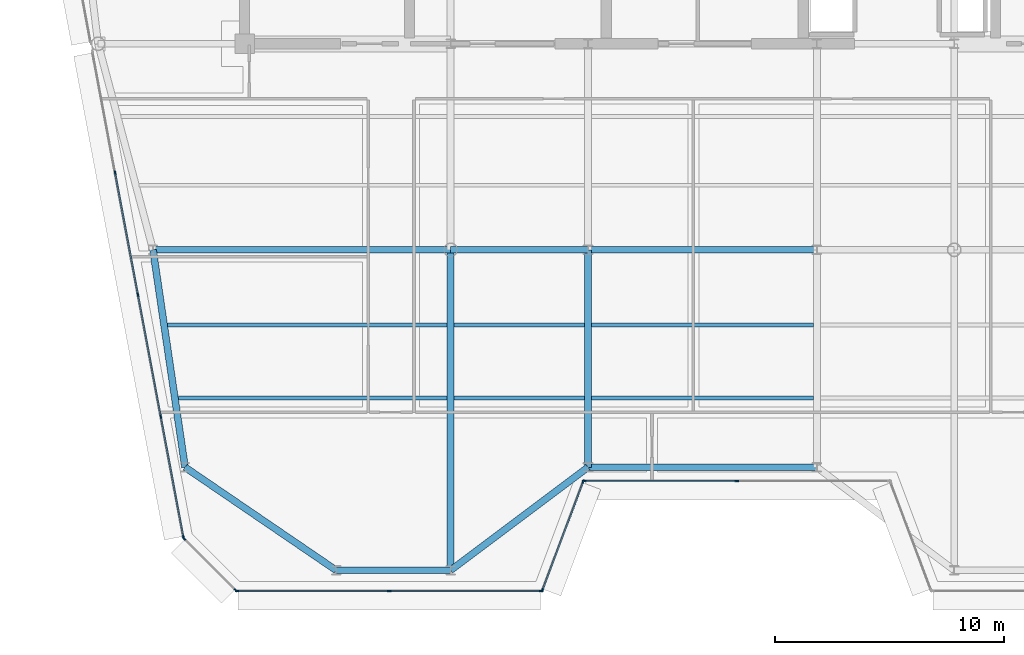
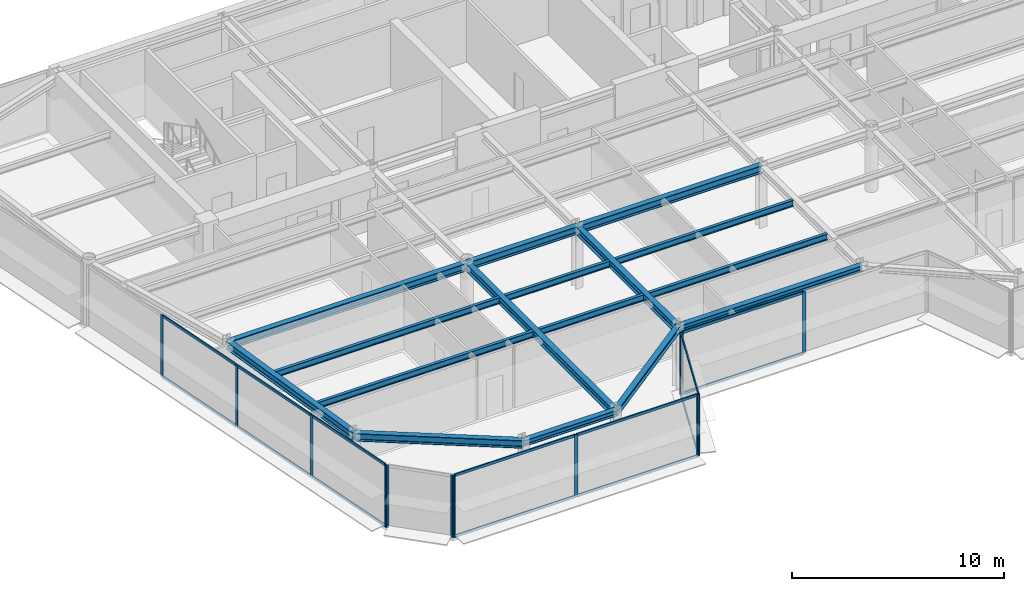
# One storey, part 3 of 20: 27 members, 16 beams, 5 elements without a shape of their own.
"""IFC4 building model written with IfcOpenShell, lengths in metres."""

from ifc_helpers import new_model, si_unit, direction, frame, origin, origin_2d, place, context, subcontext, project, spatial, rectangle, i_section, extrude, source, transform, mapped, material, layer, layer_set, material_profile, profile_set, type_object, element, aggregate, save


model = new_model("IFC4")

# Units and contexts
model_context = context("Model", 3, precision=1e-05, world=origin(), true_north=direction((0.0, 1.0)))
body_context = subcontext(model_context, "Body", "Model", "MODEL_VIEW")
ifc_project = project(units=[si_unit("LENGTHUNIT", "METRE"), si_unit("AREAUNIT", "SQUARE_METRE"), si_unit("VOLUMEUNIT", "CUBIC_METRE"), si_unit("PLANEANGLEUNIT", "RADIAN"), si_unit("MASSUNIT", "GRAM", prefix="KILO")], contexts=[model_context])

# Site, building, storey
site_placement = place(None, origin())
site = spatial("IfcSite", under=ifc_project, at=site_placement, CompositionType="ELEMENT")
building_placement = place(site_placement, origin())
building = spatial("IfcBuilding", under=site, at=building_placement, Name="Vaeldorn Concourse Tower", CompositionType="ELEMENT")
storey_placement = place(building_placement, frame((0.0, 0.0, 284.0)))
storey = spatial("IfcBuildingStorey", under=building, at=storey_placement, Name="L73", CompositionType="ELEMENT", Elevation=284.0)

# Beams
ifc_material_1 = material(Name="Steel S355", Category="steel")
ifc_material_profile_1 = material_profile(ifc_material_1, i_section(OverallWidth=0.300048828125, OverallDepth=0.449951171875, WebThickness=0.013916015625, FlangeThickness=0.02587890625, FilletRadius=0.027099609375, at=origin_2d()), Name="HEB 450")
ifc_profile_set_1 = profile_set([ifc_material_profile_1], Name="Steel S355")
beam_type_1 = type_object("IfcBeamType", Name="BM-PG-HEB450", PredefinedType="BEAM", material=ifc_profile_set_1)
shared_shape_1 = source(origin(), body_context, "Body", "SweptSolid", [
    extrude(i_section(OverallWidth=0.300048828125, OverallDepth=0.449951171875, WebThickness=0.013916015625, FlangeThickness=0.02587890625, FilletRadius=0.027099609375, at=origin_2d()), origin(), (0.0, 0.0, 1.0), 6.0),
])
beam_1_placement = place(storey_placement, frame((23.0, 27.5, 3.35498046875), z_axis=(1.0, 0.0, 0.0), x_axis=(0.0, 1.0, 0.0)))
element("IfcBeam", 1, at=beam_1_placement, inside=storey, type_object=beam_type_1, Name="Beam BM-L73-C-TW1-C-TW2", PredefinedType="BEAM", context=body_context, shape_type="MappedRepresentation", body=[
    mapped(shared_shape_1, transform((0.0, 0.0, 0.0), scale=1.0)),
])
shared_shape_2 = source(origin(), body_context, "Body", "SweptSolid", [
    extrude(i_section(OverallWidth=0.300048828125, OverallDepth=0.449951171875, WebThickness=0.013916015625, FlangeThickness=0.02587890625, FilletRadius=0.027099609375, at=origin_2d()), origin(), (0.0, 0.0, 1.0), 10.0),
])
beam_2_placement = place(storey_placement, frame((29.0, 27.5, 3.35498046875), z_axis=(1.0, 0.0, 0.0), x_axis=(0.0, 1.0, 0.0)))
element("IfcBeam", 2, at=beam_2_placement, inside=storey, type_object=beam_type_1, Name="Beam BM-L73-C-TW2-C-TW3", PredefinedType="BEAM", context=body_context, shape_type="MappedRepresentation", body=[
    mapped(shared_shape_2, transform((0.0, 0.0, 0.0), scale=1.0)),
])
ifc_material_profile_2 = material_profile(ifc_material_1, i_section(OverallWidth=0.169921875, OverallDepth=0.360107421875, WebThickness=0.008056640625, FlangeThickness=0.0126953125, FilletRadius=0.01806640625, at=origin_2d()), Name="IPE 360")
ifc_profile_set_2 = profile_set([ifc_material_profile_2], Name="Steel S355")
beam_type_2 = type_object("IfcBeamType", Name="BM-JS-IPE360", PredefinedType="JOIST", material=ifc_profile_set_2)
shared_shape_3 = source(origin(), body_context, "Body", "SweptSolid", [
    extrude(i_section(OverallWidth=0.169921875, OverallDepth=0.360107421875, WebThickness=0.008056640625, FlangeThickness=0.0126953125, FilletRadius=0.01806640625, at=origin_2d()), origin(), (0.0, 0.0, 1.0), 5.7001953125),
])
for number, where, z_axis, x_axis, name in (
    (3, (23.14990234375, 21.02001953125, 3.39990234375), (1.0, 0.0, 0.0), (0.0, 1.0, 0.0), "Beam JS-L73-W2-210"),
    (4, (23.14990234375, 24.219970703125, 3.39990234375), (1.0, 0.0, 0.0), (0.0, 1.0, 0.0), "Beam JS-L73-W2-242"),
):
    element("IfcBeam", number, at=place(storey_placement, frame(where, z_axis=z_axis, x_axis=x_axis)), inside=storey, type_object=beam_type_2, Name=name, PredefinedType="JOIST", context=body_context, shape_type="MappedRepresentation", body=[
        mapped(shared_shape_3, transform((0.0, 0.0, 0.0), scale=1.0)),
    ])
shared_shape_4 = source(origin(), body_context, "Body", "SweptSolid", [
    extrude(i_section(OverallWidth=0.169921875, OverallDepth=0.360107421875, WebThickness=0.008056640625, FlangeThickness=0.0126953125, FilletRadius=0.01806640625, at=origin_2d()), origin(), (0.0, 0.0, 1.0), 9.7001953125),
])
for number, where, z_axis, x_axis, name in (
    (5, (29.14990234375, 21.02001953125, 3.39990234375), (1.0, 0.0, 0.0), (0.0, 1.0, 0.0), "Beam JS-L73-C-210"),
    (6, (29.14990234375, 24.219970703125, 3.39990234375), (1.0, 0.0, 0.0), (0.0, 1.0, 0.0), "Beam JS-L73-C-242"),
):
    element("IfcBeam", number, at=place(storey_placement, frame(where, z_axis=z_axis, x_axis=x_axis)), inside=storey, type_object=beam_type_2, Name=name, PredefinedType="JOIST", context=body_context, shape_type="MappedRepresentation", body=[
        mapped(shared_shape_4, transform((0.0, 0.0, 0.0), scale=1.0)),
    ])
ifc_material_profile_3 = material_profile(ifc_material_1, i_section(OverallWidth=0.300048828125, OverallDepth=0.340087890625, WebThickness=0.011962890625, FlangeThickness=0.021484375, FilletRadius=0.027099609375, at=origin_2d()), Name="HEB 340")
ifc_profile_set_3 = profile_set([ifc_material_profile_3], Name="Steel S355")
beam_type_3 = type_object("IfcBeamType", Name="BM-SP-HEB340", PredefinedType="SPANDREL", material=ifc_profile_set_3)
shared_shape_5 = source(origin(), body_context, "Body", "SweptSolid", [
    extrude(i_section(OverallWidth=0.300048828125, OverallDepth=0.340087890625, WebThickness=0.011962890625, FlangeThickness=0.021484375, FilletRadius=0.027099609375, at=origin_2d()), origin(), (0.0, 0.0, 1.0), 5.0),
])
beam_3_placement = place(storey_placement, frame((18.0, 13.5, 3.409912109375), z_axis=(1.0, 0.0, 0.0), x_axis=(0.0, 1.0, 0.0)))
element("IfcBeam", 7, at=beam_3_placement, inside=storey, type_object=beam_type_3, Name="Beam BM-L73-C-SF1-C-SF2", PredefinedType="SPANDREL", context=body_context, shape_type="MappedRepresentation", body=[
    mapped(shared_shape_5, transform((0.0, 0.0, 0.0), scale=1.0)),
])
shared_shape_6 = source(origin(), body_context, "Body", "SweptSolid", [
    extrude(i_section(OverallWidth=0.300048828125, OverallDepth=0.340087890625, WebThickness=0.011962890625, FlangeThickness=0.021484375, FilletRadius=0.027099609375, at=origin_2d()), origin(), (0.0, 0.0, 1.0), 7.5),
])
beam_4_placement = place(storey_placement, frame((23.0, 13.5, 3.409912109375), z_axis=(0.8, 0.6, 0.0), x_axis=(-0.6, 0.8, 0.0)))
element("IfcBeam", 8, at=beam_4_placement, inside=storey, type_object=beam_type_3, Name="Beam BM-L73-C-SF2-C-SF3", PredefinedType="SPANDREL", context=body_context, shape_type="MappedRepresentation", body=[
    mapped(shared_shape_6, transform((0.0, 0.0, 0.0), scale=1.0)),
])
shared_shape_7 = source(origin(), body_context, "Body", "SweptSolid", [
    extrude(i_section(OverallWidth=0.300048828125, OverallDepth=0.340087890625, WebThickness=0.011962890625, FlangeThickness=0.021484375, FilletRadius=0.027099609375, at=origin_2d()), origin(), (0.0, 0.0, 1.0), 10.0),
])
beam_5_placement = place(storey_placement, frame((29.0, 18.0, 3.409912109375), z_axis=(1.0, 0.0, 0.0), x_axis=(0.0, 1.0, 0.0)))
element("IfcBeam", 9, at=beam_5_placement, inside=storey, type_object=beam_type_3, Name="Beam BM-L73-C-SF3-C-SF4", PredefinedType="SPANDREL", context=body_context, shape_type="MappedRepresentation", body=[
    mapped(shared_shape_7, transform((0.0, 0.0, 0.0), scale=1.0)),
])
shared_shape_8 = source(origin(), body_context, "Body", "SweptSolid", [
    extrude(i_section(OverallWidth=0.300048828125, OverallDepth=0.449951171875, WebThickness=0.013916015625, FlangeThickness=0.02587890625, FilletRadius=0.027099609375, at=origin_2d()), origin(), (0.0, 0.0, 1.0), 14.0),
])
beam_6_placement = place(storey_placement, frame((23.0, 13.5, 3.35498046875), z_axis=(0.0, 1.0, 0.0), x_axis=(-1.0, 0.0, 0.0)))
element("IfcBeam", 10, at=beam_6_placement, inside=storey, type_object=beam_type_1, Name="Beam BM-L73-C-SF2-C-TW1", PredefinedType="BEAM", context=body_context, shape_type="MappedRepresentation", body=[
    mapped(shared_shape_8, transform((0.0, 0.0, 0.0), scale=1.0)),
])
shared_shape_9 = source(origin(), body_context, "Body", "SweptSolid", [
    extrude(i_section(OverallWidth=0.300048828125, OverallDepth=0.449951171875, WebThickness=0.013916015625, FlangeThickness=0.02587890625, FilletRadius=0.027099609375, at=origin_2d()), origin(), (0.0, 0.0, 1.0), 13.0),
])
beam_7_placement = place(storey_placement, frame((10.0, 27.5, 3.35498046875), z_axis=(1.0, 0.0, 0.0), x_axis=(0.0, 1.0, 0.0)))
element("IfcBeam", 11, at=beam_7_placement, inside=storey, type_object=beam_type_1, Name="Beam BM-L73-C-FLW1-C-TW1", PredefinedType="BEAM", context=body_context, shape_type="MappedRepresentation", body=[
    mapped(shared_shape_9, transform((0.0, 0.0, 0.0), scale=1.0)),
])
shared_shape_10 = source(origin(), body_context, "Body", "SweptSolid", [
    extrude(i_section(OverallWidth=0.300048828125, OverallDepth=0.449951171875, WebThickness=0.013916015625, FlangeThickness=0.02587890625, FilletRadius=0.027099609375, at=origin_2d()), origin(), (0.0, 0.0, 1.0), 9.6025390625),
])
beam_8_placement = place(storey_placement, frame((10.0, 27.5, 3.35498046875), z_axis=(0.145783835977, -0.989316467652, 0.0), x_axis=(0.989316467652, 0.145783835977, 0.0)))
element("IfcBeam", 12, at=beam_8_placement, inside=storey, type_object=beam_type_1, Name="Beam BM-L73-C-FLW1-C-FLW2", PredefinedType="BEAM", context=body_context, shape_type="MappedRepresentation", body=[
    mapped(shared_shape_10, transform((0.0, 0.0, 0.0), scale=1.0)),
])
shared_shape_11 = source(origin(), body_context, "Body", "SweptSolid", [
    extrude(i_section(OverallWidth=0.300048828125, OverallDepth=0.449951171875, WebThickness=0.013916015625, FlangeThickness=0.02587890625, FilletRadius=0.027099609375, at=origin_2d()), origin(), (0.0, 0.0, 1.0), 7.98828125),
])
beam_9_placement = place(storey_placement, frame((18.0, 13.5, 3.35498046875), z_axis=(-0.826231222393, 0.56333113454, 0.0), x_axis=(-0.56333113454, -0.826231222393, 0.0)))
element("IfcBeam", 13, at=beam_9_placement, inside=storey, type_object=beam_type_1, Name="Beam BM-L73-C-SF1-C-FLW2", PredefinedType="BEAM", context=body_context, shape_type="MappedRepresentation", body=[
    mapped(shared_shape_11, transform((0.0, 0.0, 0.0), scale=1.0)),
])
shared_shape_12 = source(origin(), body_context, "Body", "SweptSolid", [
    extrude(i_section(OverallWidth=0.300048828125, OverallDepth=0.449951171875, WebThickness=0.013916015625, FlangeThickness=0.02587890625, FilletRadius=0.027099609375, at=origin_2d()), origin(), (0.0, 0.0, 1.0), 9.5),
])
beam_10_placement = place(storey_placement, frame((29.0, 18.0, 3.35498046875), z_axis=(0.0, 1.0, 0.0), x_axis=(-1.0, 0.0, 0.0)))
element("IfcBeam", 14, at=beam_10_placement, inside=storey, type_object=beam_type_1, Name="Beam BM-L73-C-SF3-C-TW2", PredefinedType="BEAM", context=body_context, shape_type="MappedRepresentation", body=[
    mapped(shared_shape_12, transform((0.0, 0.0, 0.0), scale=1.0)),
])
shared_shape_13 = source(origin(), body_context, "Body", "SweptSolid", [
    extrude(i_section(OverallWidth=0.169921875, OverallDepth=0.360107421875, WebThickness=0.008056640625, FlangeThickness=0.0126953125, FilletRadius=0.01806640625, at=origin_2d()), origin(), (0.0, 0.0, 1.0), 11.7451171875),
])
beam_11_placement = place(storey_placement, frame((11.10498046875, 21.02001953125, 3.39990234375), z_axis=(1.0, 0.0, 0.0), x_axis=(0.0, 1.0, 0.0)))
element("IfcBeam", 15, at=beam_11_placement, inside=storey, type_object=beam_type_2, Name="Beam JS-L73-W1-210", PredefinedType="JOIST", context=body_context, shape_type="MappedRepresentation", body=[
    mapped(shared_shape_13, transform((0.0, 0.0, 0.0), scale=1.0)),
])
shared_shape_14 = source(origin(), body_context, "Body", "SweptSolid", [
    extrude(i_section(OverallWidth=0.169921875, OverallDepth=0.360107421875, WebThickness=0.008056640625, FlangeThickness=0.0126953125, FilletRadius=0.01806640625, at=origin_2d()), origin(), (0.0, 0.0, 1.0), 12.216796875),
])
beam_12_placement = place(storey_placement, frame((10.63330078125, 24.219970703125, 3.39990234375), z_axis=(1.0, 0.0, 0.0), x_axis=(0.0, 1.0, 0.0)))
element("IfcBeam", 16, at=beam_12_placement, inside=storey, type_object=beam_type_2, Name="Beam JS-L73-W1-242", PredefinedType="JOIST", context=body_context, shape_type="MappedRepresentation", body=[
    mapped(shared_shape_14, transform((0.0, 0.0, 0.0), scale=1.0)),
])

# Curtain wall, members
ifc_material_2 = material(Name="Anodised Bronze Aluminium", Category="aluminium")
ifc_layer = layer(ifc_material_2, 0.179931640625)
ifc_layer_set = layer_set([ifc_layer], Name="Anodised Bronze Aluminium")
curtain_wall_type = type_object("IfcCurtainWallType", Name="CW-SYS-05", PredefinedType="NOTDEFINED", material=ifc_layer_set)
curtain_wall_1_placement = place(storey_placement, origin())
curtain_wall_1 = element("IfcCurtainWall", 17, at=curtain_wall_1_placement, inside=storey, type_object=curtain_wall_type, Name="Unitised Curtain Wall CW-L73-E02-1", PredefinedType="NOTDEFINED")
ifc_material_profile_4 = material_profile(ifc_material_2, rectangle(XDim=0.06494140625, YDim=0.14990234375, at=origin_2d()), Name="CWT 65x150")
ifc_profile_set_4 = profile_set([ifc_material_profile_4], Name="Anodised Bronze Aluminium")
member_type_1 = type_object("IfcMemberType", Name="CWT-BRONZE-150", PredefinedType="USERDEFINED", material=ifc_profile_set_4)
shared_shape_15 = source(origin(), body_context, "Body", "SweptSolid", [
    extrude(rectangle(XDim=0.06494140625, YDim=0.14990234375, at=origin_2d()), origin(), (0.0, 0.0, 1.0), 4.996337890625),
])
member_1_placement = place(storey_placement, frame((27.022705078125, 12.660888671875, 0.032470703125), z_axis=(0.351134151405, 0.936325161318, 0.0), x_axis=(-0.936325161318, 0.351134151405, 0.0)))
member_1 = element("IfcMember", 18, at=member_1_placement, type_object=member_type_1, Name="CW-05 transom 1.1", ObjectType="TRANSOM", PredefinedType="USERDEFINED", context=body_context, shape_type="MappedRepresentation", body=[
    mapped(shared_shape_15, transform((0.0, 0.0, 0.0), scale=1.0)),
])
member_2_placement = place(storey_placement, frame((27.022705078125, 12.660888671875, 3.547607421875), z_axis=(0.351134151405, 0.936325161318, 0.0), x_axis=(-0.936325161318, 0.351134151405, 0.0)))
member_2 = element("IfcMember", 19, at=member_2_placement, type_object=member_type_1, Name="CW-05 transom 1.2", ObjectType="TRANSOM", PredefinedType="USERDEFINED", context=body_context, shape_type="MappedRepresentation", body=[
    mapped(shared_shape_15, transform((0.0, 0.0, 0.0), scale=1.0)),
])

curtain_wall_2_placement = place(storey_placement, origin())
curtain_wall_2 = element("IfcCurtainWall", 20, at=curtain_wall_2_placement, inside=storey, type_object=curtain_wall_type, Name="Unitised Curtain Wall CW-L73-E03-1", PredefinedType="NOTDEFINED")
shared_shape_16 = source(origin(), body_context, "Body", "SweptSolid", [
    extrude(rectangle(XDim=0.06494140625, YDim=0.14990234375, at=origin_2d()), origin(), (0.0, 0.0, 1.0), 6.6025390625),
])
member_3_placement = place(storey_placement, frame((28.864990234375, 17.39990234375, 0.032470703125), z_axis=(1.0, 0.0, 0.0), x_axis=(0.0, 1.0, 0.0)))
member_3 = element("IfcMember", 21, at=member_3_placement, type_object=member_type_1, Name="CW-05 transom 1.1", ObjectType="TRANSOM", PredefinedType="USERDEFINED", context=body_context, shape_type="MappedRepresentation", body=[
    mapped(shared_shape_16, transform((0.0, 0.0, 0.0), scale=1.0)),
])
member_4_placement = place(storey_placement, frame((28.864990234375, 17.39990234375, 3.547607421875), z_axis=(1.0, 0.0, 0.0), x_axis=(0.0, 1.0, 0.0)))
member_4 = element("IfcMember", 22, at=member_4_placement, type_object=member_type_1, Name="CW-05 transom 1.2", ObjectType="TRANSOM", PredefinedType="USERDEFINED", context=body_context, shape_type="MappedRepresentation", body=[
    mapped(shared_shape_16, transform((0.0, 0.0, 0.0), scale=1.0)),
])

curtain_wall_3_placement = place(storey_placement, origin())
curtain_wall_3 = element("IfcCurtainWall", 23, at=curtain_wall_3_placement, inside=storey, type_object=curtain_wall_type, Name="Unitised Curtain Wall CW-L73-E01-1", PredefinedType="NOTDEFINED")
ifc_material_profile_5 = material_profile(ifc_material_2, rectangle(XDim=0.06494140625, YDim=0.169921875, at=origin_2d()), Name="CWM 65x170")
ifc_profile_set_5 = profile_set([ifc_material_profile_5], Name="Anodised Bronze Aluminium")
member_type_2 = type_object("IfcMemberType", Name="CWM-BRONZE-170", PredefinedType="MULLION", material=ifc_profile_set_5)
shared_shape_17 = source(origin(), body_context, "Body", "SweptSolid", [
    extrude(rectangle(XDim=0.06494140625, YDim=0.169921875, at=origin_2d()), origin(), (0.0, 0.0, 1.0), 3.580078125),
])
member_5_placement = place(storey_placement, frame((13.66845703125, 12.60009765625, 0.0), z_axis=(0.0, 0.0, 1.0), x_axis=(0.0, 1.0, 0.0)))
member_5 = element("IfcMember", 24, at=member_5_placement, type_object=member_type_2, Name="CW-05 mullion 1", PredefinedType="MULLION", context=body_context, shape_type="MappedRepresentation", body=[
    mapped(shared_shape_17, transform((0.0, 0.0, 0.0), scale=1.0)),
])
member_6_placement = place(storey_placement, frame((20.318115234375, 12.60009765625, 0.0), z_axis=(0.0, 0.0, 1.0), x_axis=(0.0, 1.0, 0.0)))
member_6 = element("IfcMember", 25, at=member_6_placement, type_object=member_type_2, Name="CW-05 mullion 2", PredefinedType="MULLION", context=body_context, shape_type="MappedRepresentation", body=[
    mapped(shared_shape_17, transform((0.0, 0.0, 0.0), scale=1.0)),
])
member_7_placement = place(storey_placement, frame((26.967529296875, 12.60009765625, 0.0), z_axis=(0.0, 0.0, 1.0), x_axis=(0.0, 1.0, 0.0)))
member_7 = element("IfcMember", 26, at=member_7_placement, type_object=member_type_2, Name="CW-05 mullion 3", PredefinedType="MULLION", context=body_context, shape_type="MappedRepresentation", body=[
    mapped(shared_shape_17, transform((0.0, 0.0, 0.0), scale=1.0)),
])

# Member
member_8_placement = place(storey_placement, frame((27.011474609375, 12.63037109375, 0.0), z_axis=(0.0, 0.0, 1.0), x_axis=(-0.936329177566, 0.351123441595, 0.0)))
member_8 = element("IfcMember", 27, at=member_8_placement, type_object=member_type_2, Name="CW-05 mullion 1", PredefinedType="MULLION", context=body_context, shape_type="MappedRepresentation", body=[
    mapped(shared_shape_17, transform((0.0, 0.0, 0.0), scale=1.0)),
])

member_9_placement = place(storey_placement, frame((28.78857421875, 17.36962890625, 0.0), z_axis=(0.0, 0.0, 1.0), x_axis=(-0.936329177566, 0.351123441595, 0.0)))
member_9 = element("IfcMember", 28, at=member_9_placement, type_object=member_type_2, Name="CW-05 mullion 2", PredefinedType="MULLION", context=body_context, shape_type="MappedRepresentation", body=[
    mapped(shared_shape_17, transform((0.0, 0.0, 0.0), scale=1.0)),
])

aggregate(curtain_wall_1, [member_8, member_9, member_1, member_2])

member_10_placement = place(storey_placement, frame((28.83251953125, 17.39990234375, 0.0), z_axis=(0.0, 0.0, 1.0), x_axis=(0.0, 1.0, 0.0)))
member_10 = element("IfcMember", 29, at=member_10_placement, type_object=member_type_2, Name="CW-05 mullion 1", PredefinedType="MULLION", context=body_context, shape_type="MappedRepresentation", body=[
    mapped(shared_shape_17, transform((0.0, 0.0, 0.0), scale=1.0)),
])

member_11_placement = place(storey_placement, frame((35.5, 17.39990234375, 0.0), z_axis=(0.0, 0.0, 1.0), x_axis=(0.0, 1.0, 0.0)))
member_11 = element("IfcMember", 30, at=member_11_placement, type_object=member_type_2, Name="CW-05 mullion 2", PredefinedType="MULLION", context=body_context, shape_type="MappedRepresentation", body=[
    mapped(shared_shape_17, transform((0.0, 0.0, 0.0), scale=1.0)),
])

aggregate(curtain_wall_2, [member_10, member_11, member_3, member_4])

# Curtain wall, members
curtain_wall_4_placement = place(storey_placement, origin())
curtain_wall_4 = element("IfcCurtainWall", 31, at=curtain_wall_4_placement, inside=storey, type_object=curtain_wall_type, Name="Unitised Curtain Wall CW-L73-E11-2", PredefinedType="NOTDEFINED")
member_12_placement = place(storey_placement, frame((8.343505859375, 30.86376953125, 0.0), z_axis=(0.0, 0.0, 1.0), x_axis=(0.982880027444, 0.184246714088, 0.0)))
member_12 = element("IfcMember", 32, at=member_12_placement, type_object=member_type_2, Name="CW-05 mullion 2", PredefinedType="MULLION", context=body_context, shape_type="MappedRepresentation", body=[
    mapped(shared_shape_17, transform((0.0, 0.0, 0.0), scale=1.0)),
])
member_13_placement = place(storey_placement, frame((9.341064453125, 25.54248046875, 0.0), z_axis=(0.0, 0.0, 1.0), x_axis=(0.982880027444, 0.184246714088, 0.0)))
member_13 = element("IfcMember", 33, at=member_13_placement, type_object=member_type_2, Name="CW-05 mullion 3", PredefinedType="MULLION", context=body_context, shape_type="MappedRepresentation", body=[
    mapped(shared_shape_17, transform((0.0, 0.0, 0.0), scale=1.0)),
])
member_14_placement = place(storey_placement, frame((10.33837890625, 20.22119140625, 0.0), z_axis=(0.0, 0.0, 1.0), x_axis=(0.982880027444, 0.184246714088, 0.0)))
member_14 = element("IfcMember", 34, at=member_14_placement, type_object=member_type_2, Name="CW-05 mullion 4", PredefinedType="MULLION", context=body_context, shape_type="MappedRepresentation", body=[
    mapped(shared_shape_17, transform((0.0, 0.0, 0.0), scale=1.0)),
])
member_15_placement = place(storey_placement, frame((11.330078125, 14.931884765625, 0.0), z_axis=(0.0, 0.0, 1.0), x_axis=(0.982880027444, 0.184246714088, 0.0)))
member_15 = element("IfcMember", 35, at=member_15_placement, type_object=member_type_2, Name="CW-05 mullion 5", PredefinedType="MULLION", context=body_context, shape_type="MappedRepresentation", body=[
    mapped(shared_shape_17, transform((0.0, 0.0, 0.0), scale=1.0)),
])

curtain_wall_5_placement = place(storey_placement, origin())
curtain_wall_5 = element("IfcCurtainWall", 36, at=curtain_wall_5_placement, inside=storey, type_object=curtain_wall_type, Name="Unitised Curtain Wall CW-L73-E12-1", PredefinedType="NOTDEFINED")
member_16_placement = place(storey_placement, frame((11.35888671875, 14.876953125, 0.0), z_axis=(0.0, 0.0, 1.0), x_axis=(0.707106781187, 0.707106781187, 0.0)))
member_16 = element("IfcMember", 37, at=member_16_placement, type_object=member_type_2, Name="CW-05 mullion 1", PredefinedType="MULLION", context=body_context, shape_type="MappedRepresentation", body=[
    mapped(shared_shape_17, transform((0.0, 0.0, 0.0), scale=1.0)),
])
member_17_placement = place(storey_placement, frame((13.613037109375, 12.623046875, 0.0), z_axis=(0.0, 0.0, 1.0), x_axis=(0.707106781187, 0.707106781187, 0.0)))
member_17 = element("IfcMember", 38, at=member_17_placement, type_object=member_type_2, Name="CW-05 mullion 2", PredefinedType="MULLION", context=body_context, shape_type="MappedRepresentation", body=[
    mapped(shared_shape_17, transform((0.0, 0.0, 0.0), scale=1.0)),
])
aggregate(curtain_wall_5, [member_16, member_17])

# Member
shared_shape_18 = source(origin(), body_context, "Body", "SweptSolid", [
    extrude(rectangle(XDim=0.06494140625, YDim=0.14990234375, at=origin_2d()), origin(), (0.0, 0.0, 1.0), 5.31640625),
])
member_18_placement = place(storey_placement, frame((10.344482421875, 20.189208984375, 0.032470703125), z_axis=(0.184241399207, -0.982881023735, 0.0), x_axis=(0.982881023735, 0.184241399207, 0.0)))
member_18 = element("IfcMember", 39, at=member_18_placement, type_object=member_type_1, Name="CW-05 transom 4.1", ObjectType="TRANSOM", PredefinedType="USERDEFINED", context=body_context, shape_type="MappedRepresentation", body=[
    mapped(shared_shape_18, transform((0.0, 0.0, 0.0), scale=1.0)),
])

member_19_placement = place(storey_placement, frame((10.344482421875, 20.189208984375, 3.547607421875), z_axis=(0.184241399207, -0.982881023735, 0.0), x_axis=(0.982881023735, 0.184241399207, 0.0)))
member_19 = element("IfcMember", 40, at=member_19_placement, type_object=member_type_1, Name="CW-05 transom 4.2", ObjectType="TRANSOM", PredefinedType="USERDEFINED", context=body_context, shape_type="MappedRepresentation", body=[
    mapped(shared_shape_18, transform((0.0, 0.0, 0.0), scale=1.0)),
])

shared_shape_19 = source(origin(), body_context, "Body", "SweptSolid", [
    extrude(rectangle(XDim=0.06494140625, YDim=0.14990234375, at=origin_2d()), origin(), (0.0, 0.0, 1.0), 5.348876953125),
])
member_20_placement = place(storey_placement, frame((8.349609375, 30.831787109375, 0.032470703125), z_axis=(0.184216882988, -0.982885618993, 0.0), x_axis=(0.982885618993, 0.184216882988, 0.0)))
member_20 = element("IfcMember", 41, at=member_20_placement, type_object=member_type_1, Name="CW-05 transom 2.1", ObjectType="TRANSOM", PredefinedType="USERDEFINED", context=body_context, shape_type="MappedRepresentation", body=[
    mapped(shared_shape_19, transform((0.0, 0.0, 0.0), scale=1.0)),
])

member_21_placement = place(storey_placement, frame((8.349609375, 30.831787109375, 3.547607421875), z_axis=(0.184216882988, -0.982885618993, 0.0), x_axis=(0.982885618993, 0.184216882988, 0.0)))
member_21 = element("IfcMember", 42, at=member_21_placement, type_object=member_type_1, Name="CW-05 transom 2.2", ObjectType="TRANSOM", PredefinedType="USERDEFINED", context=body_context, shape_type="MappedRepresentation", body=[
    mapped(shared_shape_19, transform((0.0, 0.0, 0.0), scale=1.0)),
])

member_22_placement = place(storey_placement, frame((9.346923828125, 25.510498046875, 0.032470703125), z_axis=(0.184260976912, -0.982877353685, 0.0), x_axis=(0.982877353685, 0.184260976912, 0.0)))
member_22 = element("IfcMember", 43, at=member_22_placement, type_object=member_type_1, Name="CW-05 transom 3.1", ObjectType="TRANSOM", PredefinedType="USERDEFINED", context=body_context, shape_type="MappedRepresentation", body=[
    mapped(shared_shape_19, transform((0.0, 0.0, 0.0), scale=1.0)),
])

member_23_placement = place(storey_placement, frame((9.346923828125, 25.510498046875, 3.547607421875), z_axis=(0.184260976912, -0.982877353685, 0.0), x_axis=(0.982877353685, 0.184260976912, 0.0)))
member_23 = element("IfcMember", 44, at=member_23_placement, type_object=member_type_1, Name="CW-05 transom 3.2", ObjectType="TRANSOM", PredefinedType="USERDEFINED", context=body_context, shape_type="MappedRepresentation", body=[
    mapped(shared_shape_19, transform((0.0, 0.0, 0.0), scale=1.0)),
])

aggregate(curtain_wall_4, [member_12, member_13, member_14, member_15, member_20, member_21, member_22, member_23, member_18, member_19])

shared_shape_20 = source(origin(), body_context, "Body", "SweptSolid", [
    extrude(rectangle(XDim=0.06494140625, YDim=0.14990234375, at=origin_2d()), origin(), (0.0, 0.0, 1.0), 6.58447265625),
])
member_24_placement = place(storey_placement, frame((13.700927734375, 12.60009765625, 0.032470703125), z_axis=(1.0, 0.0, 0.0), x_axis=(0.0, 1.0, 0.0)))
member_24 = element("IfcMember", 45, at=member_24_placement, type_object=member_type_1, Name="CW-05 transom 1.1", ObjectType="TRANSOM", PredefinedType="USERDEFINED", context=body_context, shape_type="MappedRepresentation", body=[
    mapped(shared_shape_20, transform((0.0, 0.0, 0.0), scale=1.0)),
])

member_25_placement = place(storey_placement, frame((13.700927734375, 12.60009765625, 3.547607421875), z_axis=(1.0, 0.0, 0.0), x_axis=(0.0, 1.0, 0.0)))
member_25 = element("IfcMember", 46, at=member_25_placement, type_object=member_type_1, Name="CW-05 transom 1.2", ObjectType="TRANSOM", PredefinedType="USERDEFINED", context=body_context, shape_type="MappedRepresentation", body=[
    mapped(shared_shape_20, transform((0.0, 0.0, 0.0), scale=1.0)),
])

member_26_placement = place(storey_placement, frame((20.3505859375, 12.60009765625, 0.032470703125), z_axis=(1.0, 0.0, 0.0), x_axis=(0.0, 1.0, 0.0)))
member_26 = element("IfcMember", 47, at=member_26_placement, type_object=member_type_1, Name="CW-05 transom 2.1", ObjectType="TRANSOM", PredefinedType="USERDEFINED", context=body_context, shape_type="MappedRepresentation", body=[
    mapped(shared_shape_20, transform((0.0, 0.0, 0.0), scale=1.0)),
])

member_27_placement = place(storey_placement, frame((20.3505859375, 12.60009765625, 3.547607421875), z_axis=(1.0, 0.0, 0.0), x_axis=(0.0, 1.0, 0.0)))
member_27 = element("IfcMember", 48, at=member_27_placement, type_object=member_type_1, Name="CW-05 transom 2.2", ObjectType="TRANSOM", PredefinedType="USERDEFINED", context=body_context, shape_type="MappedRepresentation", body=[
    mapped(shared_shape_20, transform((0.0, 0.0, 0.0), scale=1.0)),
])

aggregate(curtain_wall_3, [member_5, member_6, member_7, member_24, member_25, member_26, member_27])

save(model, "model.ifc")
